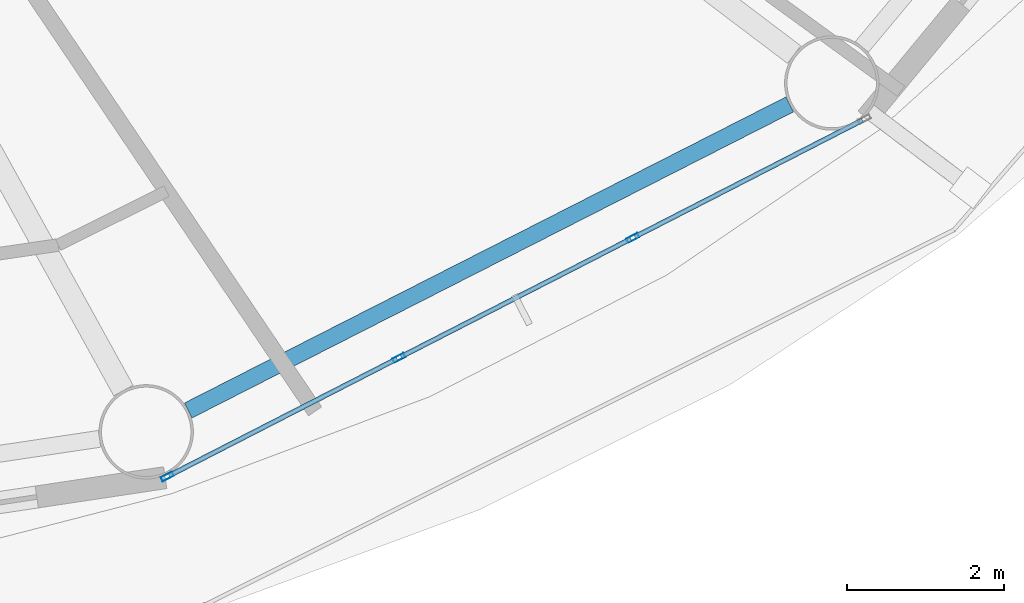
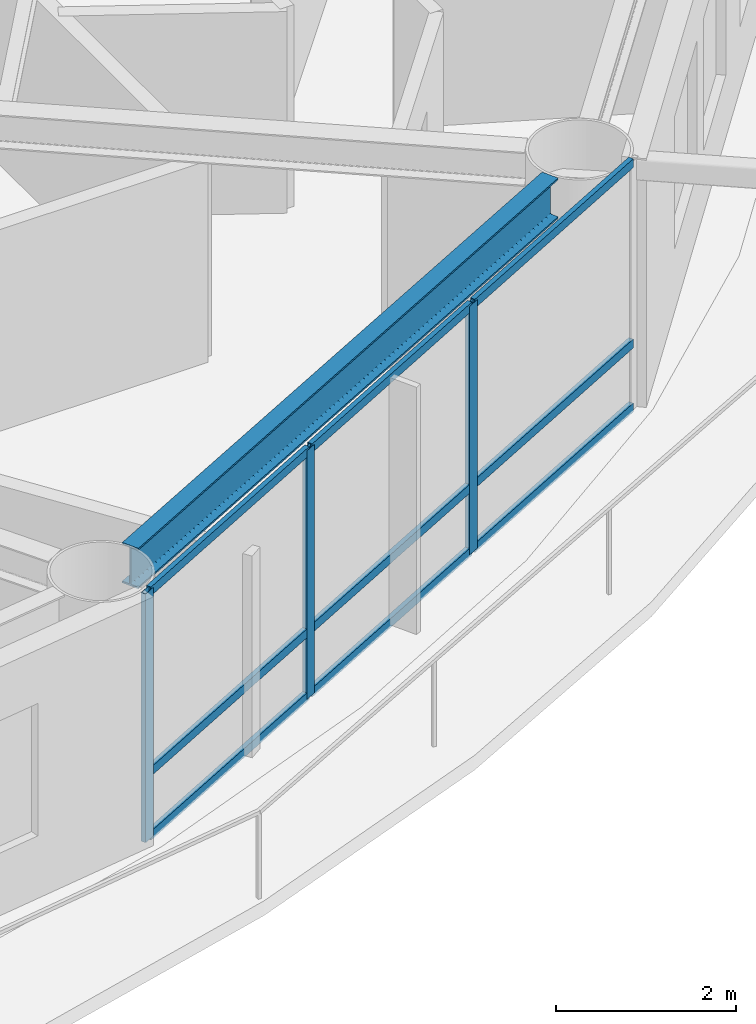
# One storey, part 5 of 28: 12 members, 1 beam, 1 element without a shape of its own.
"""IFC4 building model written with IfcOpenShell, lengths in metres."""

from ifc_helpers import new_model, si_unit, direction, frame, origin, origin_2d, place, context, subcontext, project, spatial, hollow_rectangle, i_section, extrude, material, layer, layer_set, material_profile, profile_set, type_object, element, aggregate, save


model = new_model("IFC4")

# Units and contexts
model_context = context("Model", 3, precision=1e-05, world=origin(), true_north=direction((0.0, 1.0)))
body_context = subcontext(model_context, "Body", "Model", "MODEL_VIEW")
ifc_project = project(units=[si_unit("LENGTHUNIT", "METRE"), si_unit("AREAUNIT", "SQUARE_METRE"), si_unit("VOLUMEUNIT", "CUBIC_METRE"), si_unit("PLANEANGLEUNIT", "RADIAN"), si_unit("MASSUNIT", "GRAM", prefix="KILO")], contexts=[model_context])

# Site, building, storey
site_placement = place(None, origin())
site = spatial("IfcSite", under=ifc_project, at=site_placement, CompositionType="ELEMENT")
building_placement = place(site_placement, origin())
building = spatial("IfcBuilding", under=site, at=building_placement, Name="Sarneth Arch Tower", CompositionType="ELEMENT")
storey_placement = place(building_placement, frame((0.0, 0.0, 179.39990234375)))
storey = spatial("IfcBuildingStorey", under=building, at=storey_placement, Name="L45", CompositionType="ELEMENT", Elevation=179.39990234375)

# Beam
ifc_material_1 = material(Name="Steel S355", Category="steel")
ifc_material_profile_1 = material_profile(ifc_material_1, i_section(OverallWidth=0.214111328125, OverallDepth=0.549072265625, WebThickness=0.0146484375, FlangeThickness=0.023681640625, FilletRadius=0.01806640625, at=origin_2d()), Name="W530x138")
ifc_profile_set_1 = profile_set([ifc_material_profile_1], Name="Steel S355")
beam_type = type_object("IfcBeamType", Name="BM-RAD-530A", PredefinedType="BEAM", material=ifc_profile_set_1)
beam_placement = place(storey_placement, frame((58.95654296875, 23.378662109375, 3.105712890625), z_axis=(0.891250372735, 0.453511601945, 0.0), x_axis=(-0.453511601945, 0.891250372735, 0.0)))
element("IfcBeam", 1, at=beam_placement, inside=storey, type_object=beam_type, Name="L45 Perimeter spandrel beam 14", PredefinedType="BEAM", context=body_context, shape_type="SweptSolid", body=[
    extrude(i_section(OverallWidth=0.214111328125, OverallDepth=0.549072265625, WebThickness=0.0146484375, FlangeThickness=0.023681640625, FilletRadius=0.01806640625, at=origin_2d()), origin(), (0.0, 0.0, 1.0), 8.5751953125),
])

# Curtain wall, members
ifc_material_2 = material(Name="Anodised aluminium Type AA25 and solar-control low-e laminated IGU", Category="aluminium")
ifc_layer = layer(ifc_material_2, 0.169921875)
ifc_layer_set = layer_set([ifc_layer], Name="Anodised aluminium Type AA25 and solar-control low-e laminated IGU")
curtain_wall_type = type_object("IfcCurtainWallType", Name="CW-RES-MID", PredefinedType="NOTDEFINED", material=ifc_layer_set)
curtain_wall_placement = place(storey_placement, origin())
curtain_wall = element("IfcCurtainWall", 2, at=curtain_wall_placement, inside=storey, type_object=curtain_wall_type, Name="L45 Unitised curtain wall facet 14", PredefinedType="NOTDEFINED")
ifc_material_3 = material(Name="Anodised Aluminium 6063-T6", Category="aluminium")
ifc_material_profile_2 = material_profile(ifc_material_3, hollow_rectangle(XDim=0.06005859375, YDim=0.159912109375, WallThickness=0.00390625, at=origin_2d()), Name="AL-MULL-160x60x4")
ifc_profile_set_2 = profile_set([ifc_material_profile_2], Name="Anodised Aluminium 6063-T6")
member_type_1 = type_object("IfcMemberType", Name="CW-MULLION", PredefinedType="MULLION", material=ifc_profile_set_2)
member_1_placement = place(storey_placement, frame((58.689453125, 22.538330078125, 0.0), z_axis=(0.0, 0.0, 1.0), x_axis=(-0.456208470329, 0.88987293003, 0.0)))
member_1 = element("IfcMember", 3, at=member_1_placement, type_object=member_type_1, Name="CW-SYS-5 mullion 1", PredefinedType="MULLION", context=body_context, shape_type="SweptSolid", body=[
    extrude(hollow_rectangle(XDim=0.06005859375, YDim=0.159912109375, WallThickness=0.00390625, at=origin_2d()), origin(), (0.0, 0.0, 1.0), 3.380126953125),
])
member_2_placement = place(storey_placement, frame((61.634033203125, 24.0478515625, 0.0), z_axis=(0.0, 0.0, 1.0), x_axis=(-0.456208470329, 0.88987293003, 0.0)))
member_2 = element("IfcMember", 4, at=member_2_placement, type_object=member_type_1, Name="CW-SYS-5 mullion 2", PredefinedType="MULLION", context=body_context, shape_type="SweptSolid", body=[
    extrude(hollow_rectangle(XDim=0.06005859375, YDim=0.159912109375, WallThickness=0.00390625, at=origin_2d()), origin(), (0.0, 0.0, 1.0), 3.380126953125),
])
member_3_placement = place(storey_placement, frame((64.60498046875, 25.571044921875, 0.0), z_axis=(0.0, 0.0, 1.0), x_axis=(-0.456208470329, 0.88987293003, 0.0)))
member_3 = element("IfcMember", 5, at=member_3_placement, type_object=member_type_1, Name="CW-SYS-5 mullion 3", PredefinedType="MULLION", context=body_context, shape_type="SweptSolid", body=[
    extrude(hollow_rectangle(XDim=0.06005859375, YDim=0.159912109375, WallThickness=0.00390625, at=origin_2d()), origin(), (0.0, 0.0, 1.0), 3.380126953125),
])
ifc_material_4 = material(Name="Anodised Aluminium 6063-T6", Category="aluminium")
ifc_material_profile_3 = material_profile(ifc_material_4, hollow_rectangle(XDim=0.06005859375, YDim=0.1201171875, WallThickness=0.00390625, at=origin_2d()), Name="AL-TRAN-120x60x4")
ifc_profile_set_3 = profile_set([ifc_material_profile_3], Name="Anodised Aluminium 6063-T6")
member_type_2 = type_object("IfcMemberType", Name="CW-TRANSOM", PredefinedType="USERDEFINED", material=ifc_profile_set_3)
member_4_placement = place(storey_placement, frame((58.71630859375, 22.552001953125, 0.030029296875), z_axis=(0.889857362344, 0.456238835131, 0.0), x_axis=(-0.456238835131, 0.889857362344, 0.0)))
member_4 = element("IfcMember", 6, at=member_4_placement, type_object=member_type_2, Name="CW-SYS-5 transom 1.1", ObjectType="TRANSOM", PredefinedType="USERDEFINED", context=body_context, shape_type="SweptSolid", body=[
    extrude(hollow_rectangle(XDim=0.06005859375, YDim=0.1201171875, WallThickness=0.00390625, at=origin_2d()), origin(), (0.0, 0.0, 1.0), 3.248779296875),
])
member_5_placement = place(storey_placement, frame((58.71630859375, 22.552001953125, 0.900146484375), z_axis=(0.889857362344, 0.456238835131, 0.0), x_axis=(-0.456238835131, 0.889857362344, 0.0)))
member_5 = element("IfcMember", 7, at=member_5_placement, type_object=member_type_2, Name="CW-SYS-5 transom 1.2", ObjectType="TRANSOM", PredefinedType="USERDEFINED", context=body_context, shape_type="SweptSolid", body=[
    extrude(hollow_rectangle(XDim=0.06005859375, YDim=0.1201171875, WallThickness=0.00390625, at=origin_2d()), origin(), (0.0, 0.0, 1.0), 3.248779296875),
])
member_6_placement = place(storey_placement, frame((58.71630859375, 22.552001953125, 3.35009765625), z_axis=(0.889857362344, 0.456238835131, 0.0), x_axis=(-0.456238835131, 0.889857362344, 0.0)))
member_6 = element("IfcMember", 8, at=member_6_placement, type_object=member_type_2, Name="CW-SYS-5 transom 1.3", ObjectType="TRANSOM", PredefinedType="USERDEFINED", context=body_context, shape_type="SweptSolid", body=[
    extrude(hollow_rectangle(XDim=0.06005859375, YDim=0.1201171875, WallThickness=0.00390625, at=origin_2d()), origin(), (0.0, 0.0, 1.0), 3.248779296875),
])
member_7_placement = place(storey_placement, frame((61.66064453125, 24.0615234375, 0.030029296875), z_axis=(0.889869396751, 0.45621536222, 0.0), x_axis=(-0.45621536222, 0.889869396751, 0.0)))
member_7 = element("IfcMember", 9, at=member_7_placement, type_object=member_type_2, Name="CW-SYS-5 transom 2.1", ObjectType="TRANSOM", PredefinedType="USERDEFINED", context=body_context, shape_type="SweptSolid", body=[
    extrude(hollow_rectangle(XDim=0.06005859375, YDim=0.1201171875, WallThickness=0.00390625, at=origin_2d()), origin(), (0.0, 0.0, 1.0), 3.27880859375),
])
member_8_placement = place(storey_placement, frame((61.66064453125, 24.0615234375, 0.900146484375), z_axis=(0.889869396751, 0.45621536222, 0.0), x_axis=(-0.45621536222, 0.889869396751, 0.0)))
member_8 = element("IfcMember", 10, at=member_8_placement, type_object=member_type_2, Name="CW-SYS-5 transom 2.2", ObjectType="TRANSOM", PredefinedType="USERDEFINED", context=body_context, shape_type="SweptSolid", body=[
    extrude(hollow_rectangle(XDim=0.06005859375, YDim=0.1201171875, WallThickness=0.00390625, at=origin_2d()), origin(), (0.0, 0.0, 1.0), 3.27880859375),
])
member_9_placement = place(storey_placement, frame((61.66064453125, 24.0615234375, 3.35009765625), z_axis=(0.889869396751, 0.45621536222, 0.0), x_axis=(-0.45621536222, 0.889869396751, 0.0)))
member_9 = element("IfcMember", 11, at=member_9_placement, type_object=member_type_2, Name="CW-SYS-5 transom 2.3", ObjectType="TRANSOM", PredefinedType="USERDEFINED", context=body_context, shape_type="SweptSolid", body=[
    extrude(hollow_rectangle(XDim=0.06005859375, YDim=0.1201171875, WallThickness=0.00390625, at=origin_2d()), origin(), (0.0, 0.0, 1.0), 3.27880859375),
])
member_10_placement = place(storey_placement, frame((64.6318359375, 25.584716796875, 0.030029296875), z_axis=(0.889857362344, 0.456238835131, 0.0), x_axis=(-0.456238835131, 0.889857362344, 0.0)))
member_10 = element("IfcMember", 12, at=member_10_placement, type_object=member_type_2, Name="CW-SYS-5 transom 3.1", ObjectType="TRANSOM", PredefinedType="USERDEFINED", context=body_context, shape_type="SweptSolid", body=[
    extrude(hollow_rectangle(XDim=0.06005859375, YDim=0.1201171875, WallThickness=0.00390625, at=origin_2d()), origin(), (0.0, 0.0, 1.0), 3.248779296875),
])
member_11_placement = place(storey_placement, frame((64.6318359375, 25.584716796875, 0.900146484375), z_axis=(0.889857362344, 0.456238835131, 0.0), x_axis=(-0.456238835131, 0.889857362344, 0.0)))
member_11 = element("IfcMember", 13, at=member_11_placement, type_object=member_type_2, Name="CW-SYS-5 transom 3.2", ObjectType="TRANSOM", PredefinedType="USERDEFINED", context=body_context, shape_type="SweptSolid", body=[
    extrude(hollow_rectangle(XDim=0.06005859375, YDim=0.1201171875, WallThickness=0.00390625, at=origin_2d()), origin(), (0.0, 0.0, 1.0), 3.248779296875),
])
member_12_placement = place(storey_placement, frame((64.6318359375, 25.584716796875, 3.35009765625), z_axis=(0.889857362344, 0.456238835131, 0.0), x_axis=(-0.456238835131, 0.889857362344, 0.0)))
member_12 = element("IfcMember", 14, at=member_12_placement, type_object=member_type_2, Name="CW-SYS-5 transom 3.3", ObjectType="TRANSOM", PredefinedType="USERDEFINED", context=body_context, shape_type="SweptSolid", body=[
    extrude(hollow_rectangle(XDim=0.06005859375, YDim=0.1201171875, WallThickness=0.00390625, at=origin_2d()), origin(), (0.0, 0.0, 1.0), 3.248779296875),
])
aggregate(curtain_wall, [member_1, member_2, member_3, member_4, member_5, member_6, member_7, member_8, member_9, member_10, member_11, member_12])

save(model, "model.ifc")
